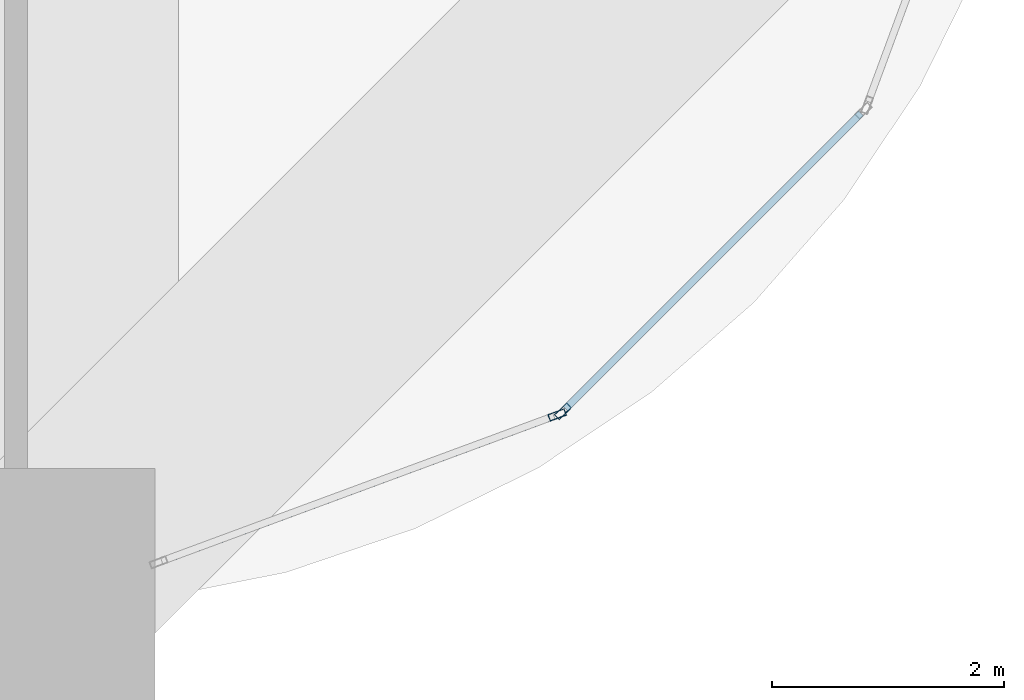
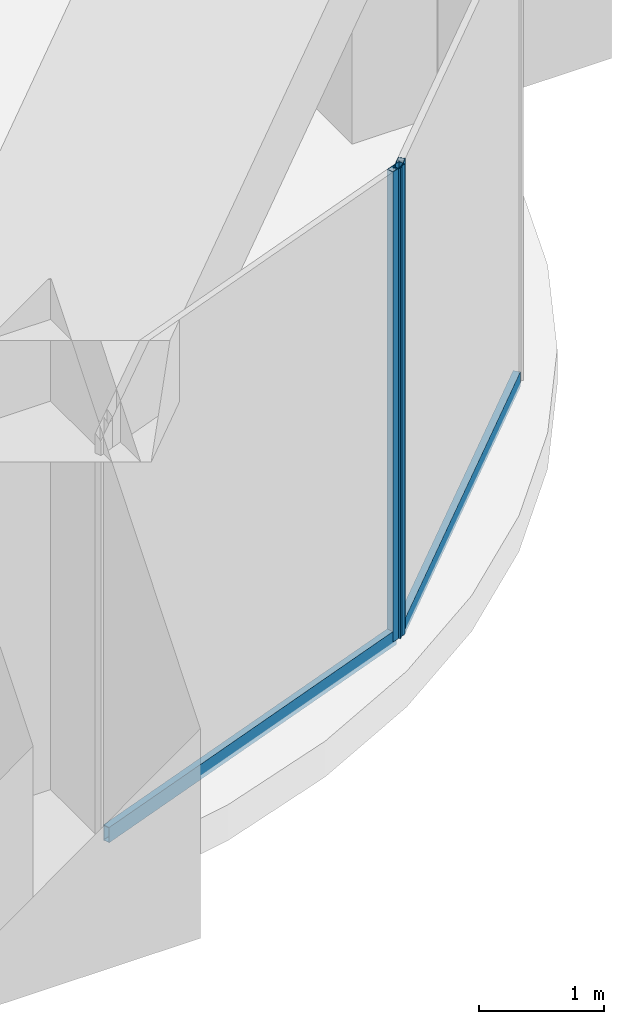
# One storey, part 13 of 35: 4 members, 2 elements without a shape of their own.
"""IFC4 building model written with IfcOpenShell, lengths in metres."""

from ifc_helpers import new_model, si_unit, direction, frame, origin, origin_2d, place, context, subcontext, project, spatial, hollow_rectangle, extrude, material, material_profile, profile_set, type_object, element, aggregate, save


model = new_model("IFC4")

# Units and contexts
model_context = context("Model", 3, precision=1e-05, world=origin(), true_north=direction((0.0, 1.0)))
body_context = subcontext(model_context, "Body", "Model", "MODEL_VIEW")
ifc_project = project(units=[si_unit("LENGTHUNIT", "METRE"), si_unit("AREAUNIT", "SQUARE_METRE"), si_unit("VOLUMEUNIT", "CUBIC_METRE"), si_unit("PLANEANGLEUNIT", "RADIAN"), si_unit("MASSUNIT", "GRAM", prefix="KILO")], contexts=[model_context])

# Site, building, storey
site_placement = place(None, origin())
site = spatial("IfcSite", under=ifc_project, at=site_placement, CompositionType="ELEMENT")
building_placement = place(site_placement, origin())
building = spatial("IfcBuilding", under=site, at=building_placement, Name="Zorevar Civic Tower", CompositionType="ELEMENT")
storey_placement = place(building_placement, frame((0.0, 0.0, 80.0)))
storey = spatial("IfcBuildingStorey", under=building, at=storey_placement, Name="L19", CompositionType="ELEMENT", Elevation=80.0)

# Curtain wall, member
ifc_material_1 = material(Name="Black aluminium louvres", Category="aluminium")
curtain_wall_type = type_object("IfcCurtainWallType", Name="Louvred curtain wall CW6 refuge", PredefinedType="NOTDEFINED", material=ifc_material_1)
curtain_wall_1_placement = place(storey_placement, origin())
curtain_wall_1 = element("IfcCurtainWall", 1, at=curtain_wall_1_placement, inside=storey, type_object=curtain_wall_type, Name="CW6 L19", PredefinedType="NOTDEFINED")
ifc_material_2 = material(Name="Aluminium, black anodised", Category="aluminium")
ifc_material_profile_1 = material_profile(ifc_material_2, hollow_rectangle(XDim=0.06005859375, YDim=0.14990234375, WallThickness=0.00390625, at=origin_2d()), Name="AL 150x60x4")
ifc_profile_set_1 = profile_set([ifc_material_profile_1], Name="Aluminium, black anodised")
member_type_1 = type_object("IfcMemberType", Name="CW6 mullion AL 150x60x4", PredefinedType="MULLION", material=ifc_profile_set_1)
member_1_placement = place(storey_placement, frame((58.66455078125, 1.663818359375, 0.0), z_axis=(0.0, 0.0, 1.0), x_axis=(-0.346704012033, 0.937974588163, 0.0)))
member_1 = element("IfcMember", 2, at=member_1_placement, type_object=member_type_1, Name="CW6 mullion 2", PredefinedType="MULLION", context=body_context, shape_type="SweptSolid", body=[
    extrude(hollow_rectangle(XDim=0.06005859375, YDim=0.14990234375, WallThickness=0.00390625, at=origin_2d()), origin(), (0.0, 0.0, 1.0), 4.60009765625),
])

curtain_wall_2_placement = place(storey_placement, origin())
curtain_wall_2 = element("IfcCurtainWall", 3, at=curtain_wall_2_placement, inside=storey, type_object=curtain_wall_type, Name="CW6 L19", PredefinedType="NOTDEFINED")
member_2_placement = place(storey_placement, frame((58.7138671875, 1.6953125, 0.0), z_axis=(0.0, 0.0, 1.0), x_axis=(-0.707106781187, 0.707106781187, 0.0)))
member_2 = element("IfcMember", 4, at=member_2_placement, type_object=member_type_1, Name="CW6 mullion 1", PredefinedType="MULLION", context=body_context, shape_type="SweptSolid", body=[
    extrude(hollow_rectangle(XDim=0.06005859375, YDim=0.14990234375, WallThickness=0.00390625, at=origin_2d()), origin(), (0.0, 0.0, 1.0), 4.60009765625),
])

# Member
ifc_material_3 = material(Name="Aluminium, black anodised", Category="aluminium")
ifc_material_profile_2 = material_profile(ifc_material_3, hollow_rectangle(XDim=0.06005859375, YDim=0.14990234375, WallThickness=0.00390625, at=origin_2d()), Name="AL 150x60x4")
ifc_profile_set_2 = profile_set([ifc_material_profile_2], Name="Aluminium, black anodised")
member_type_2 = type_object("IfcMemberType", Name="CW6 transom AL 150x60x4", PredefinedType="USERDEFINED", material=ifc_profile_set_2)
member_3_placement = place(storey_placement, frame((55.25634765625, 0.404052734375, 0.030029296875), z_axis=(0.93798635741, 0.346672169799, 0.0), x_axis=(-0.346672169799, 0.93798635741, 0.0)))
member_3 = element("IfcMember", 5, at=member_3_placement, type_object=member_type_2, Name="CW6 sill transom", ObjectType="TRANSOM", PredefinedType="USERDEFINED", context=body_context, shape_type="SweptSolid", body=[
    extrude(hollow_rectangle(XDim=0.06005859375, YDim=0.14990234375, WallThickness=0.00390625, at=origin_2d()), origin(), (0.0, 0.0, 1.0), 3.603515625),
])

aggregate(curtain_wall_1, [member_1, member_3])

member_4_placement = place(storey_placement, frame((58.735107421875, 1.716552734375, 0.030029296875), z_axis=(0.707106781187, 0.707106781187, 0.0), x_axis=(-0.707106781187, 0.707106781187, 0.0)))
member_4 = element("IfcMember", 6, at=member_4_placement, type_object=member_type_2, Name="CW6 sill transom", ObjectType="TRANSOM", PredefinedType="USERDEFINED", context=body_context, shape_type="SweptSolid", body=[
    extrude(hollow_rectangle(XDim=0.06005859375, YDim=0.14990234375, WallThickness=0.00390625, at=origin_2d()), origin(), (0.0, 0.0, 1.0), 3.60400390625),
])

aggregate(curtain_wall_2, [member_2, member_4])

save(model, "model.ifc")
